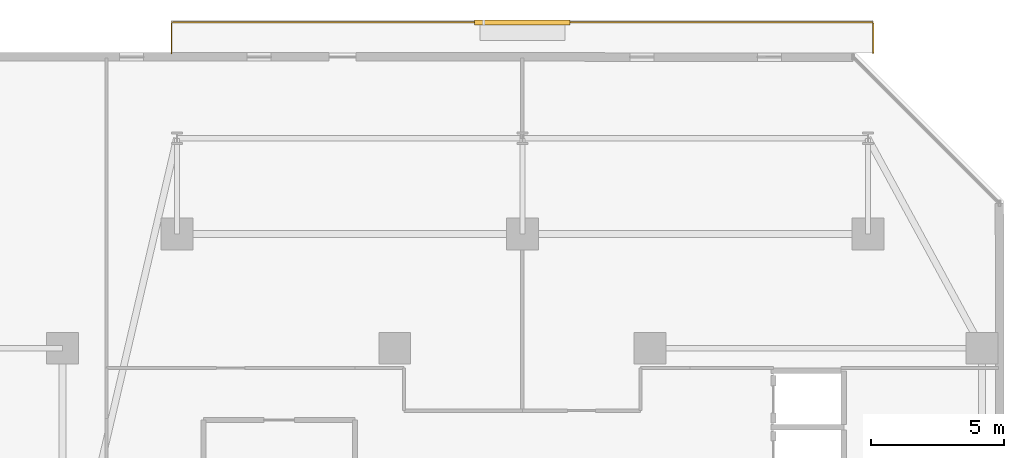
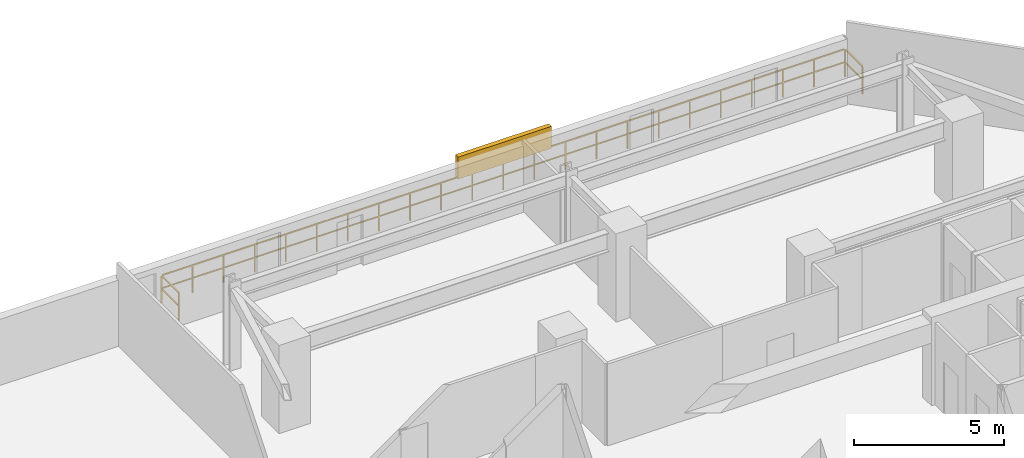
# One storey, part 29 of 29: 1 railing, 1 shading device.
"""IFC4 building model written with IfcOpenShell, lengths in metres."""

from ifc_helpers import new_model, si_unit, direction, frame, origin, origin_2d, place, context, subcontext, project, spatial, rectangle, extrude, material, type_object, element, save


model = new_model("IFC4")

# Units and contexts
model_context = context("Model", 3, precision=1e-05, world=origin(), true_north=direction((0.0, 1.0)))
body_context = subcontext(model_context, "Body", "Model", "MODEL_VIEW")
ifc_project = project(units=[si_unit("LENGTHUNIT", "METRE"), si_unit("AREAUNIT", "SQUARE_METRE"), si_unit("VOLUMEUNIT", "CUBIC_METRE"), si_unit("PLANEANGLEUNIT", "RADIAN"), si_unit("MASSUNIT", "GRAM", prefix="KILO")], contexts=[model_context])

# Site, building, storey
site_placement = place(None, origin())
site = spatial("IfcSite", under=ifc_project, at=site_placement, CompositionType="ELEMENT")
building_placement = place(site_placement, origin())
building = spatial("IfcBuilding", under=site, at=building_placement, Name="Thornwick Lancets Civic Towers", CompositionType="ELEMENT")
storey_placement = place(building_placement, frame((0.0, 0.0, 83.699951171875)))
storey = spatial("IfcBuildingStorey", under=building, at=storey_placement, Name="L21", CompositionType="ELEMENT", Elevation=83.699951171875)

# Railing
ifc_material_1 = material(Name="Terracotta-capped laminated glass balustrade S355", Category="masonry")
railing_type = type_object("IfcRailingType", Name="RAIL_TERR_GUARD", PredefinedType="GUARDRAIL", material=ifc_material_1)
railing_placement = place(storey_placement, frame((75.300048828125, 51.10009765625, 0.0)))
element("IfcRailing", 1, at=railing_placement, inside=storey, type_object=railing_type, Name="L21 Tower B Balcony Guard N", PredefinedType="GUARDRAIL", context=body_context, shape_type="SweptSolid", body=[
    extrude(rectangle(XDim=0.048095703125, YDim=0.048095703125, at=origin_2d()), frame((0.0, 0.0, 1.1259765625), z_axis=(0.0, 1.0, 0.0), x_axis=(-1.0, 0.0, 0.0)), (0.0, 0.0, 1.0), 1.138671875),
    extrude(rectangle(XDim=0.0419921875, YDim=0.0419921875, at=origin_2d()), frame((0.0, 0.03759765625, 0.597900390625), z_axis=(0.0, 1.0, 0.0), x_axis=(-1.0, 0.0, 0.0)), (0.0, 0.0, 1.0), 1.094970703125),
    extrude(rectangle(XDim=0.048095703125, YDim=0.048095703125, at=origin_2d()), frame((0.03125, 1.169921875, 1.1259765625), z_axis=(1.0, 0.0, 0.0), x_axis=(0.0, 1.0, 0.0)), (0.0, 0.0, 1.0), 26.33740234375),
    extrude(rectangle(XDim=0.0419921875, YDim=0.0419921875, at=origin_2d()), frame((0.03759765625, 1.169921875, 0.597900390625), z_axis=(1.0, 0.0, 0.0), x_axis=(0.0, 1.0, 0.0)), (0.0, 0.0, 1.0), 1.125),
    extrude(rectangle(XDim=0.0419921875, YDim=0.0419921875, at=origin_2d()), frame((1.237548828125, 1.169921875, 0.597900390625), z_axis=(1.0, 0.0, 0.0), x_axis=(0.0, 1.0, 0.0)), (0.0, 0.0, 1.0), 1.125),
    extrude(rectangle(XDim=0.0419921875, YDim=0.0419921875, at=origin_2d()), frame((2.4375, 1.169921875, 0.597900390625), z_axis=(1.0, 0.0, 0.0), x_axis=(0.0, 1.0, 0.0)), (0.0, 0.0, 1.0), 1.125),
    extrude(rectangle(XDim=0.0419921875, YDim=0.0419921875, at=origin_2d()), frame((3.637451171875, 1.169921875, 0.597900390625), z_axis=(1.0, 0.0, 0.0), x_axis=(0.0, 1.0, 0.0)), (0.0, 0.0, 1.0), 1.125),
    extrude(rectangle(XDim=0.0419921875, YDim=0.0419921875, at=origin_2d()), frame((4.83740234375, 1.169921875, 0.597900390625), z_axis=(1.0, 0.0, 0.0), x_axis=(0.0, 1.0, 0.0)), (0.0, 0.0, 1.0), 1.125),
    extrude(rectangle(XDim=0.0419921875, YDim=0.0419921875, at=origin_2d()), frame((6.037353515625, 1.169921875, 0.597900390625), z_axis=(1.0, 0.0, 0.0), x_axis=(0.0, 1.0, 0.0)), (0.0, 0.0, 1.0), 1.125),
    extrude(rectangle(XDim=0.0419921875, YDim=0.0419921875, at=origin_2d()), frame((7.237548828125, 1.169921875, 0.597900390625), z_axis=(1.0, 0.0, 0.0), x_axis=(0.0, 1.0, 0.0)), (0.0, 0.0, 1.0), 1.125),
    extrude(rectangle(XDim=0.0419921875, YDim=0.0419921875, at=origin_2d()), frame((8.4375, 1.169921875, 0.597900390625), z_axis=(1.0, 0.0, 0.0), x_axis=(0.0, 1.0, 0.0)), (0.0, 0.0, 1.0), 1.125),
    extrude(rectangle(XDim=0.0419921875, YDim=0.0419921875, at=origin_2d()), frame((9.637451171875, 1.169921875, 0.597900390625), z_axis=(1.0, 0.0, 0.0), x_axis=(0.0, 1.0, 0.0)), (0.0, 0.0, 1.0), 1.125),
    extrude(rectangle(XDim=0.0419921875, YDim=0.0419921875, at=origin_2d()), frame((10.83740234375, 1.169921875, 0.597900390625), z_axis=(1.0, 0.0, 0.0), x_axis=(0.0, 1.0, 0.0)), (0.0, 0.0, 1.0), 1.125),
    extrude(rectangle(XDim=0.0419921875, YDim=0.0419921875, at=origin_2d()), frame((12.037353515625, 1.169921875, 0.597900390625), z_axis=(1.0, 0.0, 0.0), x_axis=(0.0, 1.0, 0.0)), (0.0, 0.0, 1.0), 1.125),
    extrude(rectangle(XDim=0.0419921875, YDim=0.0419921875, at=origin_2d()), frame((13.237548828125, 1.169921875, 0.597900390625), z_axis=(1.0, 0.0, 0.0), x_axis=(0.0, 1.0, 0.0)), (0.0, 0.0, 1.0), 1.125),
    extrude(rectangle(XDim=0.0419921875, YDim=0.0419921875, at=origin_2d()), frame((14.4375, 1.169921875, 0.597900390625), z_axis=(1.0, 0.0, 0.0), x_axis=(0.0, 1.0, 0.0)), (0.0, 0.0, 1.0), 1.125),
    extrude(rectangle(XDim=0.0419921875, YDim=0.0419921875, at=origin_2d()), frame((15.637451171875, 1.169921875, 0.597900390625), z_axis=(1.0, 0.0, 0.0), x_axis=(0.0, 1.0, 0.0)), (0.0, 0.0, 1.0), 1.125),
    extrude(rectangle(XDim=0.0419921875, YDim=0.0419921875, at=origin_2d()), frame((16.83740234375, 1.169921875, 0.597900390625), z_axis=(1.0, 0.0, 0.0), x_axis=(0.0, 1.0, 0.0)), (0.0, 0.0, 1.0), 1.125),
    extrude(rectangle(XDim=0.0419921875, YDim=0.0419921875, at=origin_2d()), frame((18.037353515625, 1.169921875, 0.597900390625), z_axis=(1.0, 0.0, 0.0), x_axis=(0.0, 1.0, 0.0)), (0.0, 0.0, 1.0), 1.125),
    extrude(rectangle(XDim=0.0419921875, YDim=0.0419921875, at=origin_2d()), frame((19.2373046875, 1.169921875, 0.597900390625), z_axis=(1.0, 0.0, 0.0), x_axis=(0.0, 1.0, 0.0)), (0.0, 0.0, 1.0), 1.125),
    extrude(rectangle(XDim=0.0419921875, YDim=0.0419921875, at=origin_2d()), frame((20.4375, 1.169921875, 0.597900390625), z_axis=(1.0, 0.0, 0.0), x_axis=(0.0, 1.0, 0.0)), (0.0, 0.0, 1.0), 1.125),
    extrude(rectangle(XDim=0.0419921875, YDim=0.0419921875, at=origin_2d()), frame((21.637451171875, 1.169921875, 0.597900390625), z_axis=(1.0, 0.0, 0.0), x_axis=(0.0, 1.0, 0.0)), (0.0, 0.0, 1.0), 1.125),
    extrude(rectangle(XDim=0.0419921875, YDim=0.0419921875, at=origin_2d()), frame((22.83740234375, 1.169921875, 0.597900390625), z_axis=(1.0, 0.0, 0.0), x_axis=(0.0, 1.0, 0.0)), (0.0, 0.0, 1.0), 1.125),
    extrude(rectangle(XDim=0.0419921875, YDim=0.0419921875, at=origin_2d()), frame((24.037353515625, 1.169921875, 0.597900390625), z_axis=(1.0, 0.0, 0.0), x_axis=(0.0, 1.0, 0.0)), (0.0, 0.0, 1.0), 1.125),
    extrude(rectangle(XDim=0.0419921875, YDim=0.0419921875, at=origin_2d()), frame((25.2373046875, 1.169921875, 0.597900390625), z_axis=(1.0, 0.0, 0.0), x_axis=(0.0, 1.0, 0.0)), (0.0, 0.0, 1.0), 1.125),
    extrude(rectangle(XDim=0.048095703125, YDim=0.048095703125, at=origin_2d()), frame((26.39990234375, 1.138671875, 1.1259765625), z_axis=(0.0, -1.0, 0.0), x_axis=(1.0, 0.0, 0.0)), (0.0, 0.0, 1.0), 1.138671875),
    extrude(rectangle(XDim=0.0419921875, YDim=0.0419921875, at=origin_2d()), frame((26.39990234375, 1.13232421875, 0.597900390625), z_axis=(0.0, -1.0, 0.0), x_axis=(1.0, 0.0, 0.0)), (0.0, 0.0, 1.0), 1.094970703125),
    extrude(rectangle(XDim=0.0419921875, YDim=0.0419921875, at=origin_2d()), origin(), (0.0, 0.0, 1.0), 1.095703125),
    extrude(rectangle(XDim=0.0419921875, YDim=0.0419921875, at=origin_2d()), frame((0.0, 1.169921875, 0.0)), (0.0, 0.0, 1.0), 1.095703125),
    extrude(rectangle(XDim=0.0419921875, YDim=0.0419921875, at=origin_2d()), frame((1.199951171875, 1.169921875, 0.0)), (0.0, 0.0, 1.0), 1.095703125),
    extrude(rectangle(XDim=0.0419921875, YDim=0.0419921875, at=origin_2d()), frame((2.39990234375, 1.169921875, 0.0)), (0.0, 0.0, 1.0), 1.095703125),
    extrude(rectangle(XDim=0.0419921875, YDim=0.0419921875, at=origin_2d()), frame((3.60009765625, 1.169921875, 0.0)), (0.0, 0.0, 1.0), 1.095703125),
    extrude(rectangle(XDim=0.0419921875, YDim=0.0419921875, at=origin_2d()), frame((4.800048828125, 1.169921875, 0.0)), (0.0, 0.0, 1.0), 1.095703125),
    extrude(rectangle(XDim=0.0419921875, YDim=0.0419921875, at=origin_2d()), frame((6.0, 1.169921875, 0.0)), (0.0, 0.0, 1.0), 1.095703125),
    extrude(rectangle(XDim=0.0419921875, YDim=0.0419921875, at=origin_2d()), frame((7.199951171875, 1.169921875, 0.0)), (0.0, 0.0, 1.0), 1.095703125),
    extrude(rectangle(XDim=0.0419921875, YDim=0.0419921875, at=origin_2d()), frame((8.39990234375, 1.169921875, 0.0)), (0.0, 0.0, 1.0), 1.095703125),
    extrude(rectangle(XDim=0.0419921875, YDim=0.0419921875, at=origin_2d()), frame((9.599853515625, 1.169921875, 0.0)), (0.0, 0.0, 1.0), 1.095703125),
    extrude(rectangle(XDim=0.0419921875, YDim=0.0419921875, at=origin_2d()), frame((10.800048828125, 1.169921875, 0.0)), (0.0, 0.0, 1.0), 1.095703125),
    extrude(rectangle(XDim=0.0419921875, YDim=0.0419921875, at=origin_2d()), frame((12.0, 1.169921875, 0.0)), (0.0, 0.0, 1.0), 1.095703125),
    extrude(rectangle(XDim=0.0419921875, YDim=0.0419921875, at=origin_2d()), frame((13.199951171875, 1.169921875, 0.0)), (0.0, 0.0, 1.0), 1.095703125),
    extrude(rectangle(XDim=0.0419921875, YDim=0.0419921875, at=origin_2d()), frame((14.39990234375, 1.169921875, 0.0)), (0.0, 0.0, 1.0), 1.095703125),
    extrude(rectangle(XDim=0.0419921875, YDim=0.0419921875, at=origin_2d()), frame((15.599853515625, 1.169921875, 0.0)), (0.0, 0.0, 1.0), 1.095703125),
    extrude(rectangle(XDim=0.0419921875, YDim=0.0419921875, at=origin_2d()), frame((16.800048828125, 1.169921875, 0.0)), (0.0, 0.0, 1.0), 1.095703125),
    extrude(rectangle(XDim=0.0419921875, YDim=0.0419921875, at=origin_2d()), frame((18.0, 1.169921875, 0.0)), (0.0, 0.0, 1.0), 1.095703125),
    extrude(rectangle(XDim=0.0419921875, YDim=0.0419921875, at=origin_2d()), frame((19.199951171875, 1.169921875, 0.0)), (0.0, 0.0, 1.0), 1.095703125),
    extrude(rectangle(XDim=0.0419921875, YDim=0.0419921875, at=origin_2d()), frame((20.39990234375, 1.169921875, 0.0)), (0.0, 0.0, 1.0), 1.095703125),
    extrude(rectangle(XDim=0.0419921875, YDim=0.0419921875, at=origin_2d()), frame((21.599853515625, 1.169921875, 0.0)), (0.0, 0.0, 1.0), 1.095703125),
    extrude(rectangle(XDim=0.0419921875, YDim=0.0419921875, at=origin_2d()), frame((22.7998046875, 1.169921875, 0.0)), (0.0, 0.0, 1.0), 1.095703125),
    extrude(rectangle(XDim=0.0419921875, YDim=0.0419921875, at=origin_2d()), frame((24.0, 1.169921875, 0.0)), (0.0, 0.0, 1.0), 1.095703125),
    extrude(rectangle(XDim=0.0419921875, YDim=0.0419921875, at=origin_2d()), frame((25.199951171875, 1.169921875, 0.0)), (0.0, 0.0, 1.0), 1.095703125),
    extrude(rectangle(XDim=0.0419921875, YDim=0.0419921875, at=origin_2d()), frame((26.39990234375, 1.169921875, 0.0)), (0.0, 0.0, 1.0), 1.095703125),
    extrude(rectangle(XDim=0.0419921875, YDim=0.0419921875, at=origin_2d()), frame((26.39990234375, 0.0, 0.0)), (0.0, 0.0, 1.0), 1.095703125),
])

# Shading device
ifc_material_2 = material(Name="Extruded terracotta baguette solar screen", Category="masonry")
shading_device_type = type_object("IfcShadingDeviceType", Name="SHADE_BAGUETTE", PredefinedType="JALOUSIE", material=ifc_material_2)
shading_device_placement = place(storey_placement, frame((88.5, 52.260009765625, 1.1201171875), z_axis=(0.0, 0.0, 1.0), x_axis=(1.0, 0.0, 0.0)))
element("IfcShadingDevice", 2, at=shading_device_placement, inside=storey, type_object=shading_device_type, Name="L21 Tower B Terracotta Baguette Screen N", PredefinedType="JALOUSIE", context=body_context, shape_type="SweptSolid", body=[
    extrude(rectangle(XDim=3.60009765625, YDim=0.179931640625, at=origin_2d()), origin(), (0.0, 0.0, 1.0), 0.89990234375),
])

save(model, "model.ifc")
